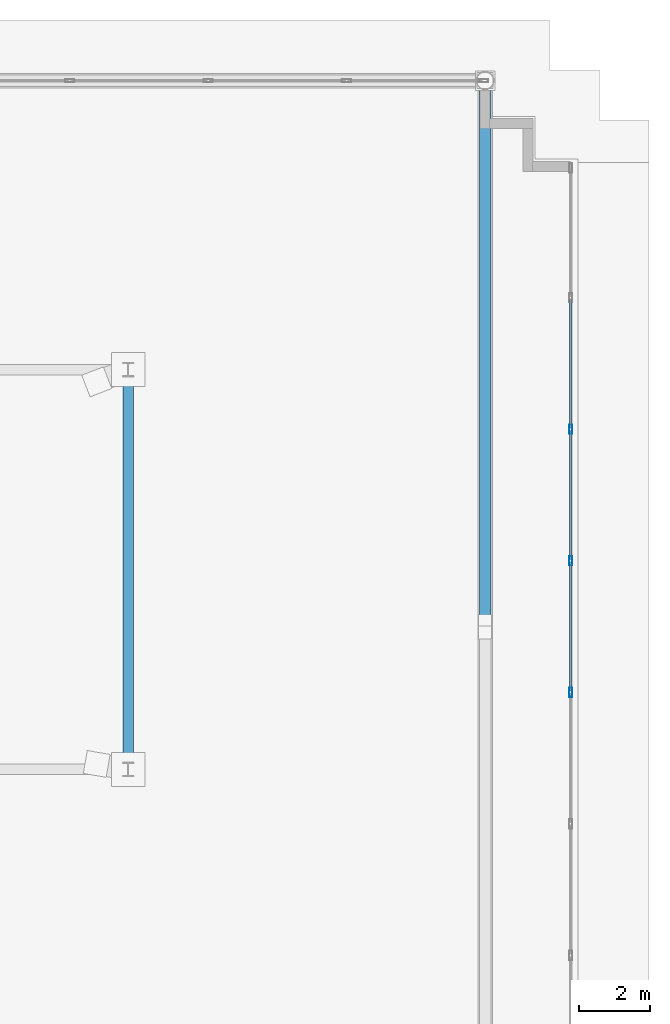
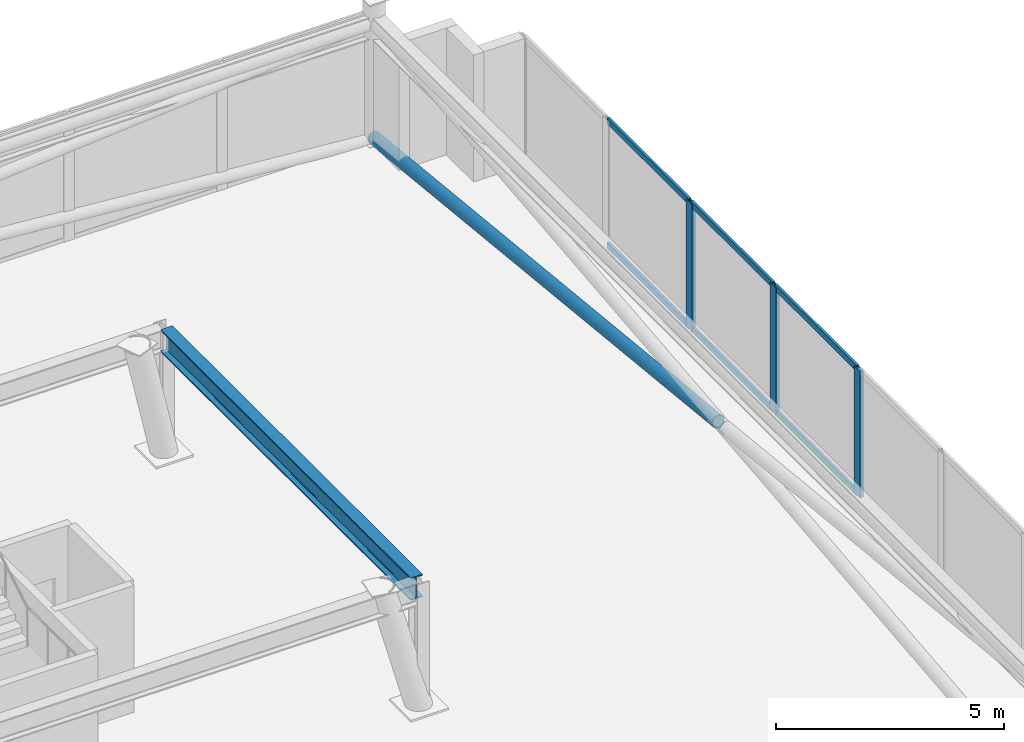
# One storey, part 17 of 23: 10 members, 1 beam, 1 element without a shape of its own.
"""IFC4 building model written with IfcOpenShell, lengths in metres."""

from ifc_helpers import new_model, si_unit, direction, frame, origin, origin_2d, place, context, subcontext, project, spatial, hollow_rectangle, hollow_circle, i_section, extrude, material, layer, layer_set, material_profile, profile_set, type_object, element, aggregate, save


model = new_model("IFC4")

# Units and contexts
model_context = context("Model", 3, precision=1e-05, world=origin(), true_north=direction((0.0, 1.0)))
body_context = subcontext(model_context, "Body", "Model", "MODEL_VIEW")
ifc_project = project(units=[si_unit("LENGTHUNIT", "METRE"), si_unit("AREAUNIT", "SQUARE_METRE"), si_unit("VOLUMEUNIT", "CUBIC_METRE"), si_unit("PLANEANGLEUNIT", "RADIAN"), si_unit("MASSUNIT", "GRAM", prefix="KILO")], contexts=[model_context])

# Site, building, storey
site_placement = place(None, origin())
site = spatial("IfcSite", under=ifc_project, at=site_placement, CompositionType="ELEMENT")
building_placement = place(site_placement, origin())
building = spatial("IfcBuilding", under=site, at=building_placement, Name="Qobustan Lattice House", CompositionType="ELEMENT")
storey_placement = place(building_placement, frame((0.0, 0.0, 270.199951171875)))
storey = spatial("IfcBuildingStorey", under=building, at=storey_placement, Name="L76", CompositionType="ELEMENT", Elevation=270.199951171875)

# Beam
ifc_material_1 = material(Name="Steel S355", Category="steel")
ifc_material_profile_1 = material_profile(ifc_material_1, i_section(OverallWidth=0.300048828125, OverallDepth=0.60009765625, WebThickness=0.015380859375, FlangeThickness=0.030029296875, FilletRadius=0.027099609375, at=origin_2d()), Name="HEB600")
ifc_profile_set_1 = profile_set([ifc_material_profile_1], Name="Steel S355")
beam_type = type_object("IfcBeamType", Name="BM-POD-HEB600", PredefinedType="USERDEFINED", material=ifc_profile_set_1)
beam_placement = place(storey_placement, frame((9.199951171875, -5.5, 3.10009765625), z_axis=(0.0, 1.0, 0.0), x_axis=(-1.0, 0.0, 0.0)))
element("IfcBeam", 1, at=beam_placement, inside=storey, type_object=beam_type, Name="L76 crown support ring girder 2", ObjectType="GIRDER", PredefinedType="USERDEFINED", context=body_context, shape_type="SweptSolid", body=[
    extrude(i_section(OverallWidth=0.300048828125, OverallDepth=0.60009765625, WebThickness=0.015380859375, FlangeThickness=0.030029296875, FilletRadius=0.027099609375, at=origin_2d()), origin(), (0.0, 0.0, 1.0), 11.0),
])

# Curtain wall, members
ifc_material_2 = material(Name="Anodised aluminium and low-E glazing", Category="aluminium")
ifc_layer = layer(ifc_material_2, 0.219970703125)
ifc_layer_set = layer_set([ifc_layer], Name="Anodised aluminium and low-E glazing")
curtain_wall_type = type_object("IfcCurtainWallType", Name="CW-CRN-01", PredefinedType="USERDEFINED", material=ifc_layer_set)
curtain_wall_placement = place(storey_placement, origin())
curtain_wall = element("IfcCurtainWall", 2, at=curtain_wall_placement, inside=storey, type_object=curtain_wall_type, Name="L76 glass-point crown faceted curtain wall 15", ObjectType="CURTAIN WALL", PredefinedType="USERDEFINED")
ifc_material_3 = material(Name="Anodised aluminium EN AW-6063 T6", Category="aluminium")
ifc_material_profile_2 = material_profile(ifc_material_3, hollow_rectangle(XDim=0.090087890625, YDim=0.260009765625, WallThickness=0.006103515625, at=origin_2d()), Name="CWM-CROWN-260x90")
ifc_profile_set_2 = profile_set([ifc_material_profile_2], Name="Anodised aluminium EN AW-6063 T6")
member_type_1 = type_object("IfcMemberType", Name="CWM-CRN-260", PredefinedType="MULLION", material=ifc_profile_set_2)
member_1_placement = place(storey_placement, frame((21.60009765625, 3.928466796875, 0.0), z_axis=(0.0, 0.0, 1.0), x_axis=(1.0, 0.0, 0.0)))
member_1 = element("IfcMember", 3, at=member_1_placement, type_object=member_type_1, Name="CW-CR mullion 3", PredefinedType="MULLION", context=body_context, shape_type="SweptSolid", body=[
    extrude(hollow_rectangle(XDim=0.090087890625, YDim=0.260009765625, WallThickness=0.006103515625, at=origin_2d()), origin(), (0.0, 0.0, 1.0), 3.400146484375),
])
member_2_placement = place(storey_placement, frame((21.60009765625, 0.242919921875, 0.0), z_axis=(0.0, 0.0, 1.0), x_axis=(1.0, 0.0, 0.0)))
member_2 = element("IfcMember", 4, at=member_2_placement, type_object=member_type_1, Name="CW-CR mullion 4", PredefinedType="MULLION", context=body_context, shape_type="SweptSolid", body=[
    extrude(hollow_rectangle(XDim=0.090087890625, YDim=0.260009765625, WallThickness=0.006103515625, at=origin_2d()), origin(), (0.0, 0.0, 1.0), 3.400146484375),
])
member_3_placement = place(storey_placement, frame((21.60009765625, -3.44287109375, 0.0), z_axis=(0.0, 0.0, 1.0), x_axis=(1.0, 0.0, 0.0)))
member_3 = element("IfcMember", 5, at=member_3_placement, type_object=member_type_1, Name="CW-CR mullion 5", PredefinedType="MULLION", context=body_context, shape_type="SweptSolid", body=[
    extrude(hollow_rectangle(XDim=0.090087890625, YDim=0.260009765625, WallThickness=0.006103515625, at=origin_2d()), origin(), (0.0, 0.0, 1.0), 3.400146484375),
])
ifc_material_4 = material(Name="Anodised aluminium EN AW-6063 T6", Category="aluminium")
ifc_material_profile_3 = material_profile(ifc_material_4, hollow_rectangle(XDim=0.06494140625, YDim=0.159912109375, WallThickness=0.00390625, at=origin_2d()), Name="CWT-160x65")
ifc_profile_set_3 = profile_set([ifc_material_profile_3], Name="Anodised aluminium EN AW-6063 T6")
member_type_2 = type_object("IfcMemberType", Name="CWT-HOR-160", PredefinedType="USERDEFINED", material=ifc_profile_set_3)
member_4_placement = place(storey_placement, frame((21.60009765625, 7.5693359375, 0.032470703125), z_axis=(0.0, -1.0, 0.0), x_axis=(1.0, 0.0, 0.0)))
member_4 = element("IfcMember", 6, at=member_4_placement, type_object=member_type_2, Name="CW-CR transom 2.1", ObjectType="TRANSOM", PredefinedType="USERDEFINED", context=body_context, shape_type="SweptSolid", body=[
    extrude(hollow_rectangle(XDim=0.06494140625, YDim=0.159912109375, WallThickness=0.00390625, at=origin_2d()), origin(), (0.0, 0.0, 1.0), 3.595703125),
])
member_5_placement = place(storey_placement, frame((21.60009765625, 7.5693359375, 3.367431640625), z_axis=(0.0, -1.0, 0.0), x_axis=(1.0, 0.0, 0.0)))
member_5 = element("IfcMember", 7, at=member_5_placement, type_object=member_type_2, Name="CW-CR transom 2.2", ObjectType="TRANSOM", PredefinedType="USERDEFINED", context=body_context, shape_type="SweptSolid", body=[
    extrude(hollow_rectangle(XDim=0.06494140625, YDim=0.159912109375, WallThickness=0.00390625, at=origin_2d()), origin(), (0.0, 0.0, 1.0), 3.595703125),
])
member_6_placement = place(storey_placement, frame((21.60009765625, 3.883544921875, 0.032470703125), z_axis=(0.0, -1.0, 0.0), x_axis=(1.0, 0.0, 0.0)))
member_6 = element("IfcMember", 8, at=member_6_placement, type_object=member_type_2, Name="CW-CR transom 3.1", ObjectType="TRANSOM", PredefinedType="USERDEFINED", context=body_context, shape_type="SweptSolid", body=[
    extrude(hollow_rectangle(XDim=0.06494140625, YDim=0.159912109375, WallThickness=0.00390625, at=origin_2d()), origin(), (0.0, 0.0, 1.0), 3.595703125),
])
member_7_placement = place(storey_placement, frame((21.60009765625, 3.883544921875, 3.367431640625), z_axis=(0.0, -1.0, 0.0), x_axis=(1.0, 0.0, 0.0)))
member_7 = element("IfcMember", 9, at=member_7_placement, type_object=member_type_2, Name="CW-CR transom 3.2", ObjectType="TRANSOM", PredefinedType="USERDEFINED", context=body_context, shape_type="SweptSolid", body=[
    extrude(hollow_rectangle(XDim=0.06494140625, YDim=0.159912109375, WallThickness=0.00390625, at=origin_2d()), origin(), (0.0, 0.0, 1.0), 3.595703125),
])
member_8_placement = place(storey_placement, frame((21.60009765625, 0.19775390625, 0.032470703125), z_axis=(0.0, -1.0, 0.0), x_axis=(1.0, 0.0, 0.0)))
member_8 = element("IfcMember", 10, at=member_8_placement, type_object=member_type_2, Name="CW-CR transom 4.1", ObjectType="TRANSOM", PredefinedType="USERDEFINED", context=body_context, shape_type="SweptSolid", body=[
    extrude(hollow_rectangle(XDim=0.06494140625, YDim=0.159912109375, WallThickness=0.00390625, at=origin_2d()), origin(), (0.0, 0.0, 1.0), 3.595703125),
])
member_9_placement = place(storey_placement, frame((21.60009765625, 0.19775390625, 3.367431640625), z_axis=(0.0, -1.0, 0.0), x_axis=(1.0, 0.0, 0.0)))
member_9 = element("IfcMember", 11, at=member_9_placement, type_object=member_type_2, Name="CW-CR transom 4.2", ObjectType="TRANSOM", PredefinedType="USERDEFINED", context=body_context, shape_type="SweptSolid", body=[
    extrude(hollow_rectangle(XDim=0.06494140625, YDim=0.159912109375, WallThickness=0.00390625, at=origin_2d()), origin(), (0.0, 0.0, 1.0), 3.595703125),
])
aggregate(curtain_wall, [member_1, member_2, member_3, member_4, member_5, member_6, member_7, member_8, member_9])

# Member
ifc_material_5 = material(Name="Steel S355", Category="steel")
ifc_material_profile_4 = material_profile(ifc_material_5, hollow_circle(Radius=0.161865234375, WallThickness=0.012451171875, at=origin_2d()), Name="CHS323.9x12.5")
ifc_profile_set_4 = profile_set([ifc_material_profile_4], Name="Steel S355")
member_type_3 = type_object("IfcMemberType", Name="MEM-CBR-CHS324", PredefinedType="BRACE", material=ifc_profile_set_4)
member_10_placement = place(storey_placement, frame((19.199951171875, 13.699951171875, 0.01513671875), z_axis=(0.0, -0.994693662734, 0.102881083373), x_axis=(1.0, 0.0, 0.0)))
element("IfcMember", 12, at=member_10_placement, inside=storey, type_object=member_type_3, Name="L76 crown diagrid split brace 2B lower", PredefinedType="BRACE", context=body_context, shape_type="SweptSolid", body=[
    extrude(hollow_circle(Radius=0.161865234375, WallThickness=0.012451171875, at=origin_2d()), origin(), (0.0, 0.0, 1.0), 15.213623046875),
])

save(model, "model.ifc")
